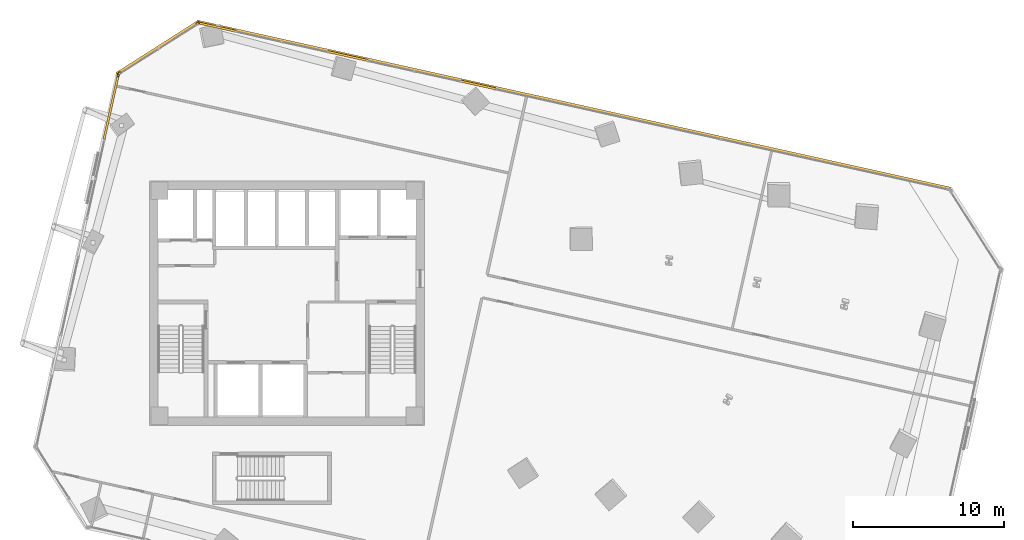
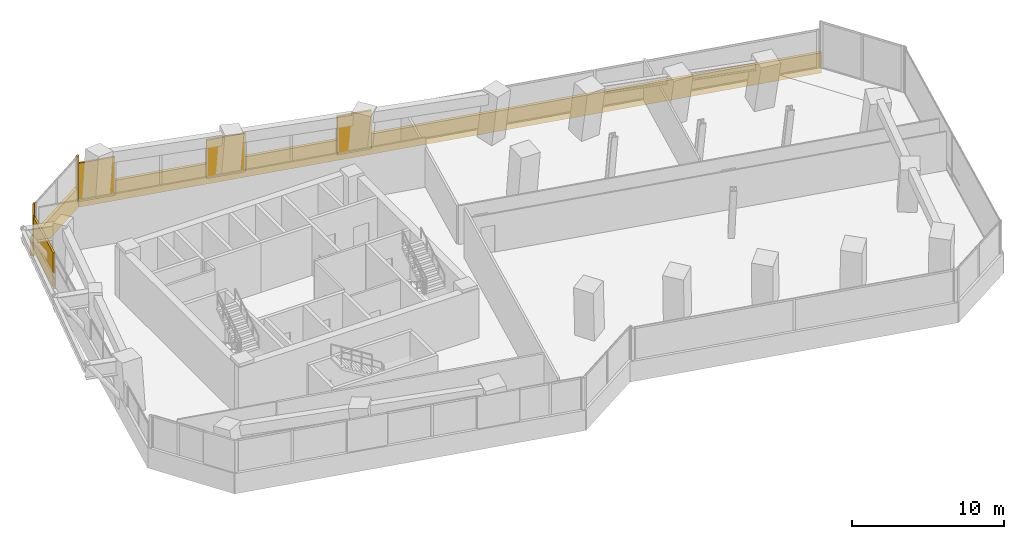
# One storey, part 26 of 26: 9 coverings.
"""IFC4 building model written with IfcOpenShell, lengths in metres."""

from ifc_helpers import new_model, si_unit, direction, frame, origin, origin_2d, place, context, subcontext, project, spatial, rectangle, extrude, source, transform, mapped, material, layer, layer_set, type_object, element, save


model = new_model("IFC4")

# Units and contexts
model_context = context("Model", 3, precision=1e-05, world=origin(), true_north=direction((0.0, 1.0)))
body_context = subcontext(model_context, "Body", "Model", "MODEL_VIEW")
ifc_project = project(units=[si_unit("LENGTHUNIT", "METRE"), si_unit("AREAUNIT", "SQUARE_METRE"), si_unit("VOLUMEUNIT", "CUBIC_METRE"), si_unit("PLANEANGLEUNIT", "RADIAN"), si_unit("MASSUNIT", "GRAM", prefix="KILO")], contexts=[model_context])

# Site, building, storey
site_placement = place(None, origin())
site = spatial("IfcSite", under=ifc_project, at=site_placement, CompositionType="ELEMENT")
building_placement = place(site_placement, origin())
building = spatial("IfcBuilding", under=site, at=building_placement, Name="Torre Montelarca", CompositionType="ELEMENT")
storey_placement = place(building_placement, frame((0.0, 0.0, 95.800048828125)))
storey = spatial("IfcBuildingStorey", under=building, at=storey_placement, Name="L21", CompositionType="ELEMENT", Elevation=95.800048828125)

# Coverings
ifc_material = material(Name="Bush-hammered warm white precast concrete C45/55", Category="concrete")
ifc_layer = layer(ifc_material, 0.139892578125, Name="Bush-hammered warm white precast concrete C45/55", Category="concrete")
ifc_layer_set = layer_set([ifc_layer], Name="Bush-hammered warm white precast concrete C45/55")
covering_type = type_object("IfcCoveringType", Name="COV-TRAY-CLAD", PredefinedType="CLADDING", material=ifc_layer_set)
shared_shape_1 = source(origin(), body_context, "Body", "SweptSolid", [
    extrude(rectangle(XDim=6.48388671875, YDim=0.219970703125, at=origin_2d()), origin(), (0.0, 0.0, 1.0), 1.6201171875),
])
covering_1_placement = place(storey_placement, frame((9.45166015625, 48.93798828125, -0.4501953125), z_axis=(0.0, 0.0, 1.0), x_axis=(-0.843387694733, -0.537305496317, 0.0)))
element("IfcCovering", 1, at=covering_1_placement, inside=storey, type_object=covering_type, Name="L21 Architectural White Spandrel Tray Band TRYBOT-09", PredefinedType="CLADDING", context=body_context, shape_type="MappedRepresentation", body=[
    mapped(shared_shape_1, transform((0.0, 0.0, 0.0), scale=1.0)),
])
shared_shape_2 = source(origin(), body_context, "Body", "SweptSolid", [
    extrude(rectangle(XDim=51.219970703125, YDim=0.219970703125, at=origin_2d()), origin(), (0.0, 0.0, 1.0), 1.6201171875),
])
covering_2_placement = place(storey_placement, frame((37.05712890625, 45.11376953125, -0.4501953125), z_axis=(0.0, 0.0, 1.0), x_axis=(-0.97629600712, 0.216439613938, 0.0)))
element("IfcCovering", 2, at=covering_2_placement, inside=storey, type_object=covering_type, Name="L21 Architectural White Spandrel Tray Band TRYBOT-08", PredefinedType="CLADDING", context=body_context, shape_type="MappedRepresentation", body=[
    mapped(shared_shape_2, transform((0.0, 0.0, 0.0), scale=1.0)),
])
shared_shape_3 = source(origin(), body_context, "Body", "SweptSolid", [
    extrude(rectangle(XDim=0.199951171875, YDim=0.139892578125, at=origin_2d()), origin(), (0.0, 0.0, 1.0), 3.719970703125),
])
for number, where, z_axis, x_axis, name in (
    (3, (12.06982421875, 50.534912109375, 0.0), (0.0, 0.0, 1.0), (-0.843382068037, -0.537314328223, 0.0), "L21 Architectural Column Pier Cladding E09-1"),
    (4, (6.89794921875, 47.239990234375, 0.0), (0.0, 0.0, 1.0), (-0.843382068037, -0.537314328223, 0.0), "L21 Architectural Column Pier Cladding E09-2"),
):
    element("IfcCovering", number, at=place(storey_placement, frame(where, z_axis=z_axis, x_axis=x_axis)), inside=storey, type_object=covering_type, Name=name, PredefinedType="CLADDING", context=body_context, shape_type="MappedRepresentation", body=[
        mapped(shared_shape_3, transform((0.0, 0.0, 0.0), scale=1.0)),
    ])
shared_shape_4 = source(origin(), body_context, "Body", "SweptSolid", [
    extrude(rectangle(XDim=0.199951171875, YDim=0.139892578125, at=origin_2d()), origin(), (0.0, 0.0, 1.0), 2.77490234375),
])
covering_3_placement = place(storey_placement, frame((6.814697265625, 47.12109375, 0.0), z_axis=(0.0, 0.0, 1.0), x_axis=(-0.216441317896, -0.97629562936, 0.0)))
element("IfcCovering", 5, at=covering_3_placement, inside=storey, type_object=covering_type, Name="L21 Architectural Column Pier Cladding E10-1", PredefinedType="CLADDING", context=body_context, shape_type="MappedRepresentation", body=[
    mapped(shared_shape_4, transform((0.0, 0.0, 0.0), scale=1.0)),
])
shared_shape_5 = source(origin(), body_context, "Body", "SweptSolid", [
    extrude(rectangle(XDim=2.360107421875, YDim=0.139892578125, at=origin_2d()), origin(), (0.0, 0.0, 1.0), 3.074951171875),
])
covering_4_placement = place(storey_placement, frame((30.677734375, 46.46630859375, 0.0), z_axis=(0.0, 0.0, 1.0), x_axis=(-0.97629600712, 0.216439613938, 0.0)))
element("IfcCovering", 6, at=covering_4_placement, inside=storey, type_object=covering_type, Name="L21 Architectural Column Pier Cladding E08-2", PredefinedType="CLADDING", context=body_context, shape_type="MappedRepresentation", body=[
    mapped(shared_shape_5, transform((0.0, 0.0, 0.0), scale=1.0)),
])
shared_shape_6 = source(origin(), body_context, "Body", "SweptSolid", [
    extrude(rectangle(XDim=2.69287109375, YDim=0.139892578125, at=origin_2d()), origin(), (0.0, 0.0, 1.0), 3.074951171875),
])
covering_5_placement = place(storey_placement, frame((22.0556640625, 48.3779296875, 0.0), z_axis=(0.0, 0.0, 1.0), x_axis=(-0.97629600712, 0.216439613938, 0.0)))
element("IfcCovering", 7, at=covering_5_placement, inside=storey, type_object=covering_type, Name="L21 Architectural Column Pier Cladding E08-3", PredefinedType="CLADDING", context=body_context, shape_type="MappedRepresentation", body=[
    mapped(shared_shape_6, transform((0.0, 0.0, 0.0), scale=1.0)),
])
shared_shape_7 = source(origin(), body_context, "Body", "SweptSolid", [
    extrude(rectangle(XDim=2.536865234375, YDim=0.139892578125, at=origin_2d()), origin(), (0.0, 0.0, 1.0), 3.074951171875),
])
covering_6_placement = place(storey_placement, frame((13.353515625, 50.30712890625, 0.0), z_axis=(0.0, 0.0, 1.0), x_axis=(-0.97629600712, 0.216439613938, 0.0)))
element("IfcCovering", 8, at=covering_6_placement, inside=storey, type_object=covering_type, Name="L21 Architectural Column Pier Cladding E08-4", PredefinedType="CLADDING", context=body_context, shape_type="MappedRepresentation", body=[
    mapped(shared_shape_7, transform((0.0, 0.0, 0.0), scale=1.0)),
])
shared_shape_8 = source(origin(), body_context, "Body", "SweptSolid", [
    extrude(rectangle(XDim=4.3984375, YDim=0.139892578125, at=origin_2d()), origin(), (0.0, 0.0, 1.0), 2.77490234375),
])
covering_7_placement = place(storey_placement, frame((6.338623046875, 44.973876953125, 0.0), z_axis=(0.0, 0.0, 1.0), x_axis=(-0.216441317896, -0.97629562936, 0.0)))
element("IfcCovering", 9, at=covering_7_placement, inside=storey, type_object=covering_type, Name="L21 Architectural Column Pier Cladding E10-2", PredefinedType="CLADDING", context=body_context, shape_type="MappedRepresentation", body=[
    mapped(shared_shape_8, transform((0.0, 0.0, 0.0), scale=1.0)),
])

save(model, "model.ifc")
